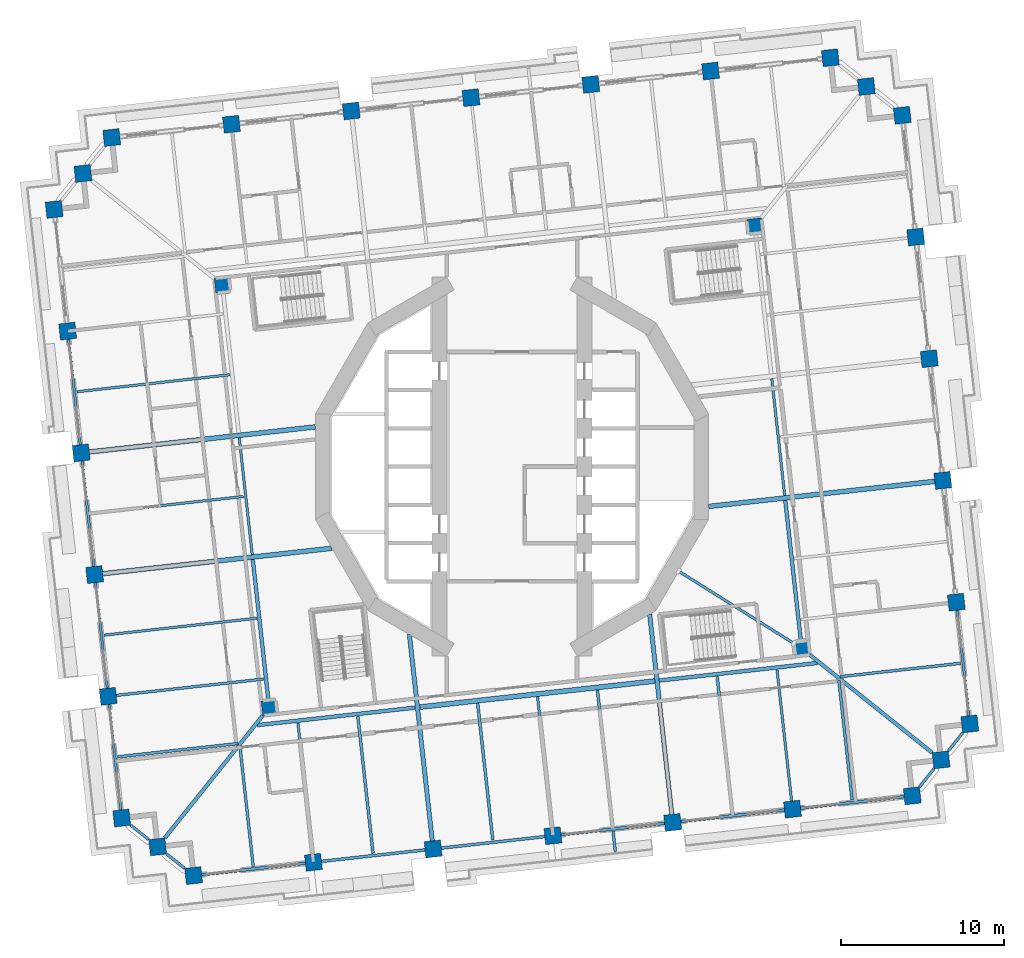
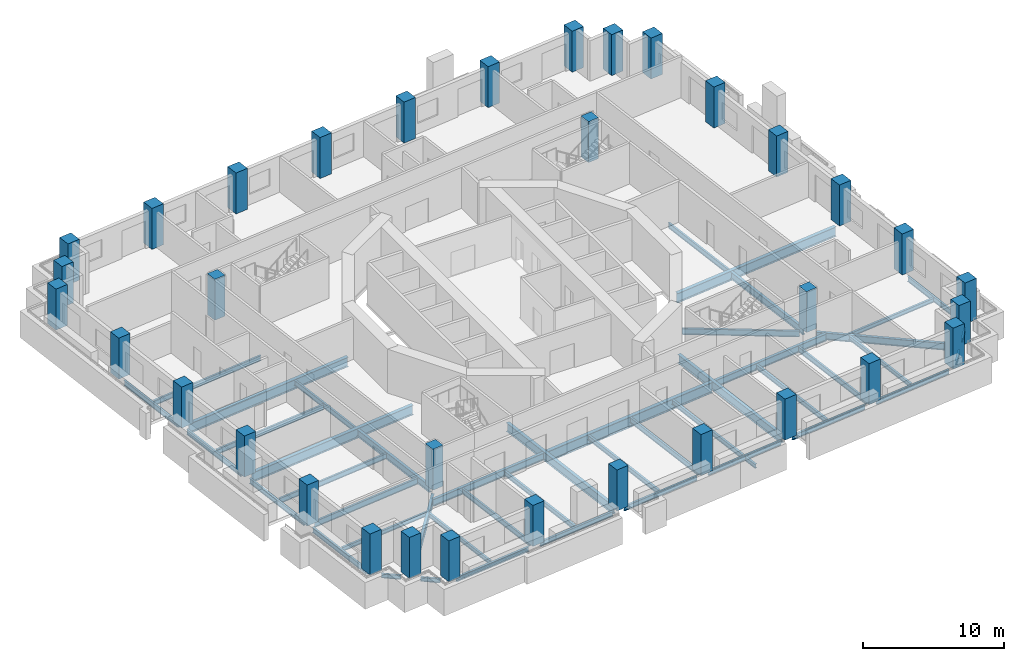
# One storey, part 1 of 18: 46 beams, 34 columns.
"""IFC4 building model written with IfcOpenShell, lengths in metres."""

from ifc_helpers import new_model, si_unit, direction, frame, origin, origin_2d, place, context, subcontext, project, spatial, rectangle, i_section, extrude, material, material_profile, profile_set, type_object, element, save


model = new_model("IFC4")

# Units and contexts
model_context = context("Model", 3, precision=1e-05, world=origin(), true_north=direction((0.0, 1.0)))
body_context = subcontext(model_context, "Body", "Model", "MODEL_VIEW")
ifc_project = project(units=[si_unit("LENGTHUNIT", "METRE"), si_unit("AREAUNIT", "SQUARE_METRE"), si_unit("VOLUMEUNIT", "CUBIC_METRE"), si_unit("PLANEANGLEUNIT", "RADIAN"), si_unit("MASSUNIT", "GRAM", prefix="KILO")], contexts=[model_context])

# Site, building, storey
site_placement = place(None, origin())
site = spatial("IfcSite", under=ifc_project, at=site_placement, CompositionType="ELEMENT")
building_placement = place(site_placement, origin())
building = spatial("IfcBuilding", under=site, at=building_placement, Name="Cantera Rosa Tower", CompositionType="ELEMENT")
storey_placement = place(building_placement, frame((0.0, 0.0, 76.699951171875)))
storey = spatial("IfcBuildingStorey", under=building, at=storey_placement, Name="L16", CompositionType="ELEMENT", Elevation=76.699951171875)

# Columns
ifc_material_1 = material(Name="Concrete C70/85", Category="concrete")
ifc_material_profile_1 = material_profile(ifc_material_1, rectangle(XDim=1.0, YDim=1.0, at=origin_2d()), Name="RC COLUMN RC1000X1000 C70/85")
ifc_profile_set_1 = profile_set([ifc_material_profile_1], Name="Concrete C70/85")
column_type_1 = type_object("IfcColumnType", Name="RC COLUMN RC1000X1000 C70/85", PredefinedType="COLUMN", material=ifc_profile_set_1)
for number, where, z_axis, x_axis, name in (
    (1, (28.114013671875, -15.795166015625, 0.0), (0.0, 0.0, 1.0), (0.993896946415, 0.110312555526, 0.0), "C-Z1-01 L16"),
    (2, (27.284423828125, -8.321044921875, 0.0), (0.0, 0.0, 1.0), (0.993896946415, 0.110312555526, 0.0), "C-Z1-02 L16"),
    (3, (26.454833984375, -0.846923828125, 0.0), (0.0, 0.0, 1.0), (0.993896946415, 0.110312555526, 0.0), "C-Z1-03 L16"),
    (4, (25.625244140625, 6.627197265625, 0.0), (0.0, 0.0, 1.0), (0.993896946415, 0.110312555526, 0.0), "C-Z1-04 L16"),
    (5, (24.795654296875, 14.101318359375, 0.0), (0.0, 0.0, 1.0), (0.993896946415, 0.110312555526, 0.0), "C-Z1-05 L16"),
    (6, (23.96630859375, 21.575439453125, 0.0), (0.0, 0.0, 1.0), (0.993896946415, 0.110312555526, 0.0), "C-Z1-06 L16"),
    (7, (21.7578125, 23.342529296875, 0.0), (0.0, 0.0, 1.0), (0.993896946415, 0.110312555526, 0.0), "C-Z1-07 L16"),
    (8, (19.54931640625, 25.10986328125, 0.0), (0.0, 0.0, 1.0), (0.993896946415, 0.110312555526, 0.0), "C-Z1-08 L16"),
    (9, (12.194580078125, 24.29345703125, 0.0), (0.0, 0.0, 1.0), (0.993896946415, 0.110312555526, 0.0), "C-Z1-09 L16"),
    (10, (4.839599609375, 23.47705078125, 0.0), (0.0, 0.0, 1.0), (0.993896946415, 0.110312555526, 0.0), "C-Z1-10 L16"),
    (11, (-2.51513671875, 22.660888671875, 0.0), (0.0, 0.0, 1.0), (0.993896946415, 0.110312555526, 0.0), "C-Z1-11 L16"),
    (12, (-9.869873046875, 21.844482421875, 0.0), (0.0, 0.0, 1.0), (0.993896946415, 0.110312555526, 0.0), "C-Z1-12 L16"),
    (13, (-17.224853515625, 21.0283203125, 0.0), (0.0, 0.0, 1.0), (0.993896946415, 0.110312555526, 0.0), "C-Z1-13 L16"),
    (14, (-24.57958984375, 20.2119140625, 0.0), (0.0, 0.0, 1.0), (0.993896946415, 0.110312555526, 0.0), "C-Z1-14 L16"),
    (15, (-26.346923828125, 18.00341796875, 0.0), (0.0, 0.0, 1.0), (0.993896946415, 0.110312555526, 0.0), "C-Z1-15 L16"),
    (16, (-28.114013671875, 15.795166015625, 0.0), (0.0, 0.0, 1.0), (0.993896946415, 0.110312555526, 0.0), "C-Z1-16 L16"),
    (17, (-27.284423828125, 8.321044921875, 0.0), (0.0, 0.0, 1.0), (0.993896946415, 0.110312555526, 0.0), "C-Z1-17 L16"),
    (18, (-26.454833984375, 0.846923828125, 0.0), (0.0, 0.0, 1.0), (0.993896946415, 0.110312555526, 0.0), "C-Z1-18 L16"),
    (19, (-25.625244140625, -6.627197265625, 0.0), (0.0, 0.0, 1.0), (0.993896946415, 0.110312555526, 0.0), "C-Z1-19 L16"),
    (20, (-24.795654296875, -14.101318359375, 0.0), (0.0, 0.0, 1.0), (0.993896946415, 0.110312555526, 0.0), "C-Z1-20 L16"),
    (21, (-23.96630859375, -21.575439453125, 0.0), (0.0, 0.0, 1.0), (0.993896946415, 0.110312555526, 0.0), "C-Z1-21 L16"),
    (22, (-21.7578125, -23.342529296875, 0.0), (0.0, 0.0, 1.0), (0.993896946415, 0.110312555526, 0.0), "C-Z1-22 L16"),
    (23, (-19.54931640625, -25.10986328125, 0.0), (0.0, 0.0, 1.0), (0.993896946415, 0.110312555526, 0.0), "C-Z1-23 L16"),
    (24, (-12.194580078125, -24.29345703125, 0.0), (0.0, 0.0, 1.0), (0.993896946415, 0.110312555526, 0.0), "C-Z1-24 L16"),
    (25, (-4.839599609375, -23.47705078125, 0.0), (0.0, 0.0, 1.0), (0.993896946415, 0.110312555526, 0.0), "C-Z1-25 L16"),
    (26, (2.51513671875, -22.660888671875, 0.0), (0.0, 0.0, 1.0), (0.993896946415, 0.110312555526, 0.0), "C-Z1-26 L16"),
    (27, (9.869873046875, -21.844482421875, 0.0), (0.0, 0.0, 1.0), (0.993896946415, 0.110312555526, 0.0), "C-Z1-27 L16"),
    (28, (17.224853515625, -21.0283203125, 0.0), (0.0, 0.0, 1.0), (0.993896946415, 0.110312555526, 0.0), "C-Z1-28 L16"),
    (29, (24.57958984375, -20.2119140625, 0.0), (0.0, 0.0, 1.0), (0.993896946415, 0.110312555526, 0.0), "C-Z1-29 L16"),
    (30, (26.346923828125, -18.00341796875, 0.0), (0.0, 0.0, 1.0), (0.993896946415, 0.110312555526, 0.0), "C-Z1-30 L16"),
):
    element("IfcColumn", number, at=place(storey_placement, frame(where, z_axis=z_axis, x_axis=x_axis)), inside=storey, type_object=column_type_1, Name=name, PredefinedType="COLUMN", context=body_context, shape_type="SweptSolid", body=[
        extrude(rectangle(XDim=1.0, YDim=1.0, at=origin_2d()), origin(), (0.0, 0.0, 1.0), 3.550048828125),
    ])
ifc_material_2 = material(Name="Concrete C70/85", Category="concrete")
ifc_material_profile_2 = material_profile(ifc_material_2, rectangle(XDim=0.89990234375, YDim=0.89990234375, at=origin_2d()), Name="RC RING COLUMN RC900X900 C70/85")
ifc_profile_set_2 = profile_set([ifc_material_profile_2], Name="Concrete C70/85")
column_type_2 = type_object("IfcColumnType", Name="RC RING COLUMN RC900X900 C70/85", PredefinedType="COLUMN", material=ifc_profile_set_2)
for number, where, z_axis, x_axis, name in (
    (31, (14.909912109375, 14.784912109375, 0.0), (0.0, 0.0, 1.0), (0.993896946415, 0.110312555526, 0.0), "CI-Z1-1 L16"),
    (32, (-17.7890625, 11.15576171875, 0.0), (0.0, 0.0, 1.0), (0.993896946415, 0.110312555526, 0.0), "CI-Z1-2 L16"),
    (33, (-14.909912109375, -14.784912109375, 0.0), (0.0, 0.0, 1.0), (0.993896946415, 0.110312555526, 0.0), "CI-Z1-3 L16"),
    (34, (17.7890625, -11.15576171875, 0.0), (0.0, 0.0, 1.0), (0.993896946415, 0.110312555526, 0.0), "CI-Z1-4 L16"),
):
    element("IfcColumn", number, at=place(storey_placement, frame(where, z_axis=z_axis, x_axis=x_axis)), inside=storey, type_object=column_type_2, Name=name, PredefinedType="COLUMN", context=body_context, shape_type="SweptSolid", body=[
        extrude(rectangle(XDim=0.89990234375, YDim=0.89990234375, at=origin_2d()), origin(), (0.0, 0.0, 1.0), 3.550048828125),
    ])

# Beams
ifc_material_3 = material(Name="Steel ASTM A992 (Fy 345 MPa)", Category="steel")
ifc_material_profile_3 = material_profile(ifc_material_3, i_section(OverallWidth=0.154052734375, OverallDepth=0.4599609375, WebThickness=0.009033203125, FlangeThickness=0.015380859375, FilletRadius=0.01025390625, at=origin_2d()), Name="W460X68")
ifc_profile_set_3 = profile_set([ifc_material_profile_3], Name="Steel ASTM A992 (Fy 345 MPa)")
beam_type_1 = type_object("IfcBeamType", Name="STEEL BEAM W460X68", PredefinedType="BEAM", material=ifc_profile_set_3)
beam_1_placement = place(storey_placement, frame((-12.249755859375, -23.796630859375, -0.47998046875), z_axis=(-0.110312435488, 0.993896959738, 0.0), x_axis=(-0.993896959738, -0.110312435488, 0.0)))
element("IfcBeam", 35, at=beam_1_placement, inside=storey, type_object=beam_type_1, Name="G-Z1-10 L16", PredefinedType="BEAM", context=body_context, shape_type="SweptSolid", body=[
    extrude(i_section(OverallWidth=0.154052734375, OverallDepth=0.4599609375, WebThickness=0.009033203125, FlangeThickness=0.015380859375, FilletRadius=0.01025390625, at=origin_2d()), origin(), (0.0, 0.0, 1.0), 8.10009765625),
])
for number, where, z_axis, x_axis, name in (
    (36, (2.4599609375, -22.163818359375, -0.47998046875), (-0.110315740112, 0.993896592953, 0.0), (-0.993896592953, -0.110315740112, 0.0), "G-Z1-12 L16"),
    (37, (17.169677734375, -20.53125, -0.47998046875), (-0.110315740112, 0.993896592953, 0.0), (-0.993896592953, -0.110315740112, 0.0), "G-Z1-14 L16"),
):
    element("IfcBeam", number, at=place(storey_placement, frame(where, z_axis=z_axis, x_axis=x_axis)), inside=storey, type_object=beam_type_1, Name=name, PredefinedType="BEAM", context=body_context, shape_type="SweptSolid", body=[
        extrude(i_section(OverallWidth=0.154052734375, OverallDepth=0.4599609375, WebThickness=0.009033203125, FlangeThickness=0.015380859375, FilletRadius=0.01025390625, at=origin_2d()), origin(), (0.0, 0.0, 1.0), 8.099853515625),
    ])
for number, where, z_axis, x_axis, name in (
    (38, (16.747802734375, -1.7734375, -0.47998046875), (-0.110301629462, 0.993898159037, 0.0), (-0.993898159037, -0.110301629462, 0.0), "RB-Z1-08 L16"),
    (39, (-15.951416015625, -5.402587890625, -0.47998046875), (-0.110301629462, 0.993898159037, 0.0), (-0.993898159037, -0.110301629462, 0.0), "RB-Z1-11 L16"),
):
    element("IfcBeam", number, at=place(storey_placement, frame(where, z_axis=z_axis, x_axis=x_axis)), inside=storey, type_object=beam_type_1, Name=name, PredefinedType="BEAM", context=body_context, shape_type="SweptSolid", body=[
        extrude(i_section(OverallWidth=0.154052734375, OverallDepth=0.4599609375, WebThickness=0.009033203125, FlangeThickness=0.015380859375, FilletRadius=0.01025390625, at=origin_2d()), origin(), (0.0, 0.0, 1.0), 7.219970703125),
    ])
ifc_material_4 = material(Name="Steel ASTM A992 (Fy 345 MPa)", Category="steel")
ifc_material_profile_4 = material_profile(ifc_material_4, i_section(OverallWidth=0.166015625, OverallDepth=0.528076171875, WebThickness=0.009765625, FlangeThickness=0.013671875, FilletRadius=0.0126953125, at=origin_2d()), Name="W530X74")
ifc_profile_set_4 = profile_set([ifc_material_profile_4], Name="Steel ASTM A992 (Fy 345 MPa)")
beam_type_2 = type_object("IfcBeamType", Name="STEEL BEAM W530X74", PredefinedType="BEAM", material=ifc_profile_set_4)
beam_2_placement = place(storey_placement, frame((-24.298828125, -14.046142578125, -0.513916015625), z_axis=(0.993896161189, 0.110319630049, 0.0), x_axis=(-0.110319630049, 0.993896161189, 0.0)))
element("IfcBeam", 40, at=beam_2_placement, inside=storey, type_object=beam_type_2, Name="G-Z1-18 L16", PredefinedType="BEAM", context=body_context, shape_type="SweptSolid", body=[
    extrude(i_section(OverallWidth=0.166015625, OverallDepth=0.528076171875, WebThickness=0.009765625, FlangeThickness=0.013671875, FilletRadius=0.0126953125, at=origin_2d()), origin(), (0.0, 0.0, 1.0), 9.10009765625),
])
beam_3_placement = place(storey_placement, frame((17.302490234375, -10.8505859375, -0.513916015625), z_axis=(-0.847189957301, 0.531290105543, 0.0), x_axis=(-0.531290105543, -0.847189957301, 0.0)))
element("IfcBeam", 41, at=beam_3_placement, inside=storey, type_object=beam_type_2, Name="PG-Z1-01 L16", PredefinedType="BEAM", context=body_context, shape_type="SweptSolid", body=[
    extrude(i_section(OverallWidth=0.166015625, OverallDepth=0.528076171875, WebThickness=0.009765625, FlangeThickness=0.013671875, FilletRadius=0.0126953125, at=origin_2d()), origin(), (0.0, 0.0, 1.0), 8.34130859375),
])
ifc_material_5 = material(Name="Steel ASTM A992 (Fy 345 MPa)", Category="steel")
ifc_material_profile_5 = material_profile(ifc_material_5, i_section(OverallWidth=0.22802734375, OverallDepth=0.60205078125, WebThickness=0.010498046875, FlangeThickness=0.014892578125, FilletRadius=0.0126953125, at=origin_2d()), Name="W610X101")
ifc_profile_set_5 = profile_set([ifc_material_profile_5], Name="Steel ASTM A992 (Fy 345 MPa)")
beam_type_3 = type_object("IfcBeamType", Name="STEEL BEAM W610X101", PredefinedType="BEAM", material=ifc_profile_set_5)
beam_4_placement = place(storey_placement, frame((-21.31591796875, -22.79052734375, -0.551025390625), z_axis=(0.624787924463, 0.780794498857, 0.0), x_axis=(-0.780794498857, 0.624787924463, 0.0)))
element("IfcBeam", 42, at=beam_4_placement, inside=storey, type_object=beam_type_3, Name="CB-Z1-03 L16", PredefinedType="BEAM", context=body_context, shape_type="SweptSolid", body=[
    extrude(i_section(OverallWidth=0.22802734375, OverallDepth=0.60205078125, WebThickness=0.010498046875, FlangeThickness=0.014892578125, FilletRadius=0.0126953125, at=origin_2d()), origin(), (0.0, 0.0, 1.0), 9.616455078125),
])
beam_5_placement = place(storey_placement, frame((25.794677734375, -17.561767578125, -0.551025390625), z_axis=(-0.78078211406, 0.62480340137, 0.0), x_axis=(-0.62480340137, -0.78078211406, 0.0)))
element("IfcBeam", 43, at=beam_5_placement, inside=storey, type_object=beam_type_3, Name="CB-Z1-04 L16", PredefinedType="BEAM", context=body_context, shape_type="SweptSolid", body=[
    extrude(i_section(OverallWidth=0.22802734375, OverallDepth=0.60205078125, WebThickness=0.010498046875, FlangeThickness=0.014892578125, FilletRadius=0.0126953125, at=origin_2d()), origin(), (0.0, 0.0, 1.0), 9.61669921875),
])
for number, where, z_axis, x_axis, name in (
    (44, (17.739501953125, -10.70849609375, -0.551025390625), (-0.110298932846, 0.993898458301, 0.0), (-0.993898458301, -0.110298932846, 0.0), "RB-Z1-07 L16"),
    (45, (-14.959716796875, -14.337646484375, -0.551025390625), (-0.110298932846, 0.993898458301, 0.0), (-0.993898458301, -0.110298932846, 0.0), "RB-Z1-10 L16"),
):
    element("IfcBeam", number, at=place(storey_placement, frame(where, z_axis=z_axis, x_axis=x_axis)), inside=storey, type_object=beam_type_3, Name=name, PredefinedType="BEAM", context=body_context, shape_type="SweptSolid", body=[
        extrude(i_section(OverallWidth=0.22802734375, OverallDepth=0.60205078125, WebThickness=0.010498046875, FlangeThickness=0.014892578125, FilletRadius=0.0126953125, at=origin_2d()), origin(), (0.0, 0.0, 1.0), 8.68994140625),
    ])
ifc_material_6 = material(Name="Steel ASTM A992 (Fy 345 MPa)", Category="steel")
ifc_material_profile_6 = material_profile(ifc_material_6, i_section(OverallWidth=0.22900390625, OverallDepth=0.612060546875, WebThickness=0.011962890625, FlangeThickness=0.01953125, FilletRadius=0.0126953125, at=origin_2d()), Name="W610X125")
ifc_profile_set_6 = profile_set([ifc_material_profile_6], Name="Steel ASTM A992 (Fy 345 MPa)")
beam_type_4 = type_object("IfcBeamType", Name="STEEL BEAM W610X125", PredefinedType="BEAM", material=ifc_profile_set_6)
beam_6_placement = place(storey_placement, frame((-15.64453125, -15.87255859375, -0.555908203125), z_axis=(0.993898078625, 0.110302354035, 0.0), x_axis=(-0.110302354035, 0.993898078625, 0.0)))
element("IfcBeam", 46, at=beam_6_placement, inside=storey, type_object=beam_type_4, Name="RB-Z1-04 L16", PredefinedType="BEAM", context=body_context, shape_type="SweptSolid", body=[
    extrude(i_section(OverallWidth=0.22900390625, OverallDepth=0.612060546875, WebThickness=0.011962890625, FlangeThickness=0.01953125, FilletRadius=0.0126953125, at=origin_2d()), origin(), (0.0, 0.0, 1.0), 9.75),
])
beam_7_placement = place(storey_placement, frame((9.0537109375, -13.13134765625, -0.555908203125), z_axis=(0.993898383269, 0.110299608956, 0.0), x_axis=(-0.110299608956, 0.993898383269, 0.0)))
element("IfcBeam", 47, at=beam_7_placement, inside=storey, type_object=beam_type_4, Name="RB-Z1-06 L16", PredefinedType="BEAM", context=body_context, shape_type="SweptSolid", body=[
    extrude(i_section(OverallWidth=0.22900390625, OverallDepth=0.612060546875, WebThickness=0.011962890625, FlangeThickness=0.01953125, FilletRadius=0.0126953125, at=origin_2d()), origin(), (0.0, 0.0, 1.0), 9.750244140625),
])
ifc_material_7 = material(Name="Steel ASTM A992 (Fy 345 MPa)", Category="steel")
ifc_material_profile_7 = material_profile(ifc_material_7, i_section(OverallWidth=0.26708984375, OverallDepth=0.75390625, WebThickness=0.01318359375, FlangeThickness=0.01708984375, FilletRadius=0.0166015625, at=origin_2d()), Name="W760X147")
ifc_profile_set_7 = profile_set([ifc_material_profile_7], Name="Steel ASTM A992 (Fy 345 MPa)")
beam_type_5 = type_object("IfcBeamType", Name="STEEL BEAM W760X147", PredefinedType="BEAM", material=ifc_profile_set_7)
beam_8_placement = place(storey_placement, frame((-4.894775390625, -22.980224609375, -0.626953125), z_axis=(-0.11031177493, 0.993897033053, 0.0), x_axis=(-0.993897033053, -0.11031177493, 0.0)))
element("IfcBeam", 48, at=beam_8_placement, inside=storey, type_object=beam_type_5, Name="G-Z1-11 L16", PredefinedType="BEAM", context=body_context, shape_type="SweptSolid", body=[
    extrude(i_section(OverallWidth=0.26708984375, OverallDepth=0.75390625, WebThickness=0.01318359375, FlangeThickness=0.01708984375, FilletRadius=0.0166015625, at=origin_2d()), origin(), (0.0, 0.0, 1.0), 12.754638671875),
])
beam_9_placement = place(storey_placement, frame((9.814697265625, -21.34765625, -0.626953125), z_axis=(-0.110292782244, 0.993899140851, 0.0), x_axis=(-0.993899140851, -0.110292782244, 0.0)))
element("IfcBeam", 49, at=beam_9_placement, inside=storey, type_object=beam_type_5, Name="G-Z1-13 L16", PredefinedType="BEAM", context=body_context, shape_type="SweptSolid", body=[
    extrude(i_section(OverallWidth=0.26708984375, OverallDepth=0.75390625, WebThickness=0.01318359375, FlangeThickness=0.01708984375, FilletRadius=0.0166015625, at=origin_2d()), origin(), (0.0, 0.0, 1.0), 12.360595703125),
])
ifc_material_8 = material(Name="Steel ASTM A992 (Fy 345 MPa)", Category="steel")
ifc_material_profile_8 = material_profile(ifc_material_8, i_section(OverallWidth=0.2919921875, OverallDepth=0.8359375, WebThickness=0.013916015625, FlangeThickness=0.018798828125, FilletRadius=0.017822265625, at=origin_2d()), Name="W840X176")
ifc_profile_set_8 = profile_set([ifc_material_profile_8], Name="Steel ASTM A992 (Fy 345 MPa)")
beam_type_6 = type_object("IfcBeamType", Name="STEEL BEAM W840X176", PredefinedType="BEAM", material=ifc_profile_set_8)
for number, where, z_axis, x_axis, name in (
    (50, (25.9580078125, -0.902099609375, -0.66796875), (-0.993898644981, -0.110297250672, 0.0), (0.110297250672, -0.993898644981, 0.0), "G-Z1-02 L16"),
    (51, (-25.9580078125, 0.902099609375, -0.66796875), (0.993898644981, 0.110297250672, 0.0), (-0.110297250672, 0.993898644981, 0.0), "G-Z1-16 L16"),
):
    element("IfcBeam", number, at=place(storey_placement, frame(where, z_axis=z_axis, x_axis=x_axis)), inside=storey, type_object=beam_type_6, Name=name, PredefinedType="BEAM", context=body_context, shape_type="SweptSolid", body=[
        extrude(i_section(OverallWidth=0.2919921875, OverallDepth=0.8359375, WebThickness=0.013916015625, FlangeThickness=0.018798828125, FilletRadius=0.017822265625, at=origin_2d()), origin(), (0.0, 0.0, 1.0), 13.96923828125),
    ])
beam_10_placement = place(storey_placement, frame((-25.12841796875, -6.572021484375, -0.66796875), z_axis=(0.993897599241, 0.110306673519, 0.0), x_axis=(-0.110306673519, 0.993897599241, 0.0)))
element("IfcBeam", 52, at=beam_10_placement, inside=storey, type_object=beam_type_6, Name="G-Z1-17 L16", PredefinedType="BEAM", context=body_context, shape_type="SweptSolid", body=[
    extrude(i_section(OverallWidth=0.2919921875, OverallDepth=0.8359375, WebThickness=0.013916015625, FlangeThickness=0.018798828125, FilletRadius=0.017822265625, at=origin_2d()), origin(), (0.0, 0.0, 1.0), 14.1650390625),
])
ifc_material_9 = material(Name="Steel ASTM A992 (Fy 345 MPa)", Category="steel")
ifc_material_profile_9 = material_profile(ifc_material_9, i_section(OverallWidth=0.304931640625, OverallDepth=0.9189453125, WebThickness=0.017333984375, FlangeThickness=0.02783203125, FilletRadius=0.01904296875, at=origin_2d()), Name="W920X253")
ifc_profile_set_9 = profile_set([ifc_material_profile_9], Name="Steel ASTM A992 (Fy 345 MPa)")
beam_type_7 = type_object("IfcBeamType", Name="STEEL BEAM W920X253", PredefinedType="BEAM", material=ifc_profile_set_9)
beam_11_placement = place(storey_placement, frame((-5.65576171875, -14.763916015625, -0.70947265625), z_axis=(0.993898099692, 0.110302164209, 0.0), x_axis=(-0.110302164209, 0.993898099692, 0.0)))
element("IfcBeam", 53, at=beam_11_placement, inside=storey, type_object=beam_type_7, Name="RB-Z1-05 L16", PredefinedType="BEAM", context=body_context, shape_type="SweptSolid", body=[
    extrude(i_section(OverallWidth=0.304931640625, OverallDepth=0.9189453125, WebThickness=0.017333984375, FlangeThickness=0.02783203125, FilletRadius=0.01904296875, at=origin_2d()), origin(), (0.0, 0.0, 1.0), 14.499755859375),
])
ifc_material_10 = material(Name="Steel ASTM A992 (Fy 345 MPa)", Category="steel")
ifc_material_profile_10 = material_profile(ifc_material_10, i_section(OverallWidth=0.1708984375, OverallDepth=0.35595703125, WebThickness=0.00732421875, FlangeThickness=0.01171875, FilletRadius=0.010009765625, at=origin_2d()), Name="W360X51")
ifc_profile_set_10 = profile_set([ifc_material_profile_10], Name="Steel ASTM A992 (Fy 345 MPa)")
beam_type_8 = type_object("IfcBeamType", Name="STEEL JOIST W360X51", PredefinedType="JOIST", material=ifc_profile_set_10)
beam_12_placement = place(storey_placement, frame((27.550048828125, -12.074462890625, -0.427978515625), z_axis=(-0.993895702238, -0.110323764768, 0.0), x_axis=(0.110323764768, -0.993895702238, 0.0)))
element("IfcBeam", 54, at=beam_12_placement, inside=storey, type_object=beam_type_8, Name="B-Z1-01 L16", PredefinedType="JOIST", context=body_context, shape_type="SweptSolid", body=[
    extrude(i_section(OverallWidth=0.1708984375, OverallDepth=0.35595703125, WebThickness=0.00732421875, FlangeThickness=0.01171875, FilletRadius=0.010009765625, at=origin_2d()), origin(), (0.0, 0.0, 1.0), 7.4599609375),
])
for number, where, z_axis, x_axis, name in (
    (55, (-15.888427734375, -24.552490234375, -0.427978515625), (-0.110326513132, 0.993895397162, 0.0), (-0.993895397162, -0.110326513132, 0.0), "B-Z1-12 L16"),
    (56, (20.8857421875, -20.470947265625, -0.427978515625), (-0.110326513132, 0.993895397162, 0.0), (-0.993895397162, -0.110326513132, 0.0), "B-Z1-17 L16"),
):
    element("IfcBeam", number, at=place(storey_placement, frame(where, z_axis=z_axis, x_axis=x_axis)), inside=storey, type_object=beam_type_8, Name=name, PredefinedType="JOIST", context=body_context, shape_type="SweptSolid", body=[
        extrude(i_section(OverallWidth=0.1708984375, OverallDepth=0.35595703125, WebThickness=0.00732421875, FlangeThickness=0.01171875, FilletRadius=0.010009765625, at=origin_2d()), origin(), (0.0, 0.0, 1.0), 7.39990234375),
    ])
beam_13_placement = place(storey_placement, frame((-24.23193359375, -17.82177734375, -0.427978515625), z_axis=(0.993899688369, 0.110287848199, 0.0), x_axis=(-0.110287848199, 0.993899688369, 0.0)))
element("IfcBeam", 57, at=beam_13_placement, inside=storey, type_object=beam_type_8, Name="B-Z1-22 L16", PredefinedType="JOIST", context=body_context, shape_type="SweptSolid", body=[
    extrude(i_section(OverallWidth=0.1708984375, OverallDepth=0.35595703125, WebThickness=0.00732421875, FlangeThickness=0.01171875, FilletRadius=0.010009765625, at=origin_2d()), origin(), (0.0, 0.0, 1.0), 7.4599609375),
])
beam_14_placement = place(storey_placement, frame((6.206787109375, -22.3818359375, -0.427978515625), z_axis=(0.110345783203, -0.993893257915, 0.0), x_axis=(0.993893257915, 0.110345783203, 0.0)))
element("IfcBeam", 58, at=beam_14_placement, inside=storey, type_object=beam_type_8, Name="BS-Z1-21 L16", PredefinedType="JOIST", context=body_context, shape_type="SweptSolid", body=[
    extrude(i_section(OverallWidth=0.1708984375, OverallDepth=0.35595703125, WebThickness=0.00732421875, FlangeThickness=0.01171875, FilletRadius=0.010009765625, at=origin_2d()), origin(), (0.0, 0.0, 1.0), 1.25),
])
ifc_material_11 = material(Name="Steel ASTM A992 (Fy 345 MPa)", Category="steel")
ifc_material_profile_11 = material_profile(ifc_material_11, i_section(OverallWidth=0.177978515625, OverallDepth=0.406005859375, WebThickness=0.0078125, FlangeThickness=0.0126953125, FilletRadius=0.01025390625, at=origin_2d()), Name="W410X60")
ifc_profile_set_11 = profile_set([ifc_material_profile_11], Name="Steel ASTM A992 (Fy 345 MPa)")
beam_type_9 = type_object("IfcBeamType", Name="STEEL JOIST W410X60", PredefinedType="JOIST", material=ifc_profile_set_11)
for number, where, z_axis, x_axis, name in (
    (59, (-8.53369140625, -23.736328125, -0.452880859375), (-0.110311022989, 0.99389711651, 0.0), (-0.99389711651, -0.110311022989, 0.0), "B-Z1-13 L16"),
    (60, (-1.178955078125, -22.919921875, -0.452880859375), (-0.110311022989, 0.99389711651, 0.0), (-0.99389711651, -0.110311022989, 0.0), "B-Z1-14 L16"),
    (61, (6.176025390625, -22.103515625, -0.452880859375), (-0.110311022989, 0.99389711651, 0.0), (-0.99389711651, -0.110311022989, 0.0), "B-Z1-15 L16"),
    (62, (13.53076171875, -21.287353515625, -0.452880859375), (-0.110311022989, 0.99389711651, 0.0), (-0.99389711651, -0.110311022989, 0.0), "B-Z1-16 L16"),
):
    element("IfcBeam", number, at=place(storey_placement, frame(where, z_axis=z_axis, x_axis=x_axis)), inside=storey, type_object=beam_type_9, Name=name, PredefinedType="JOIST", context=body_context, shape_type="SweptSolid", body=[
        extrude(i_section(OverallWidth=0.177978515625, OverallDepth=0.406005859375, WebThickness=0.0078125, FlangeThickness=0.0126953125, FilletRadius=0.01025390625, at=origin_2d()), origin(), (0.0, 0.0, 1.0), 8.449951171875),
    ])
ifc_material_12 = material(Name="Steel ASTM A992 (Fy 345 MPa)", Category="steel")
ifc_material_profile_12 = material_profile(ifc_material_12, i_section(OverallWidth=0.154052734375, OverallDepth=0.4599609375, WebThickness=0.009033203125, FlangeThickness=0.015380859375, FilletRadius=0.01025390625, at=origin_2d()), Name="W460X68")
ifc_profile_set_12 = profile_set([ifc_material_profile_12], Name="Steel ASTM A992 (Fy 345 MPa)")
beam_type_10 = type_object("IfcBeamType", Name="STEEL JOIST W460X68", PredefinedType="JOIST", material=ifc_profile_set_12)
for number, where, z_axis, x_axis, name in (
    (63, (-26.720458984375, 4.600341796875, -0.47998046875), (0.993896645353, 0.110315268011, 0.0), (-0.110315268011, 0.993896645353, 0.0), "B-Z1-19 L16"),
    (64, (-25.89111328125, -2.87353515625, -0.47998046875), (0.993899477629, 0.110289747342, 0.0), (-0.110289747342, 0.993899477629, 0.0), "B-Z1-20 L16"),
    (65, (-25.0615234375, -10.34765625, -0.47998046875), (0.993896645353, 0.110315268011, 0.0), (-0.110315268011, 0.993896645353, 0.0), "B-Z1-21 L16"),
):
    element("IfcBeam", number, at=place(storey_placement, frame(where, z_axis=z_axis, x_axis=x_axis)), inside=storey, type_object=beam_type_10, Name=name, PredefinedType="JOIST", context=body_context, shape_type="SweptSolid", body=[
        extrude(i_section(OverallWidth=0.154052734375, OverallDepth=0.4599609375, WebThickness=0.009033203125, FlangeThickness=0.015380859375, FilletRadius=0.01025390625, at=origin_2d()), origin(), (0.0, 0.0, 1.0), 9.449951171875),
    ])
ifc_material_13 = material(Name="Steel ASTM A992 (Fy 345 MPa)", Category="steel")
ifc_material_profile_13 = material_profile(ifc_material_13, i_section(OverallWidth=0.1708984375, OverallDepth=0.35595703125, WebThickness=0.00732421875, FlangeThickness=0.01171875, FilletRadius=0.010009765625, at=origin_2d()), Name="W360X51")
ifc_profile_set_13 = profile_set([ifc_material_profile_13], Name="Steel ASTM A992 (Fy 345 MPa)")
beam_type_11 = type_object("IfcBeamType", Name="STEEL SPANDREL BEAM W360X51", PredefinedType="SPANDREL", material=ifc_profile_set_13)
for number, where, z_axis, x_axis, name in (
    (66, (-23.4140625, -22.017333984375, -0.427978515625), (0.780818280208, -0.624758203863, 0.0), (0.624758203863, 0.780818280208, 0.0), "EB-Z1-21 L16"),
    (67, (-21.205810546875, -23.784423828125, -0.427978515625), (0.780818280208, -0.624758203863, 0.0), (0.624758203863, 0.780818280208, 0.0), "EB-Z1-22 L16"),
    (68, (25.021484375, -19.659912109375, -0.427978515625), (0.624758203863, 0.780818280208, 0.0), (-0.780818280208, 0.624758203863, 0.0), "EB-Z1-29 L16"),
    (69, (26.78857421875, -17.451416015625, -0.427978515625), (0.624758203863, 0.780818280208, 0.0), (-0.780818280208, 0.624758203863, 0.0), "EB-Z1-30 L16"),
):
    element("IfcBeam", number, at=place(storey_placement, frame(where, z_axis=z_axis, x_axis=x_axis)), inside=storey, type_object=beam_type_11, Name=name, PredefinedType="SPANDREL", context=body_context, shape_type="SweptSolid", body=[
        extrude(i_section(OverallWidth=0.1708984375, OverallDepth=0.35595703125, WebThickness=0.00732421875, FlangeThickness=0.01171875, FilletRadius=0.010009765625, at=origin_2d()), origin(), (0.0, 0.0, 1.0), 1.414306640625),
    ])
ifc_material_14 = material(Name="Steel ASTM A992 (Fy 345 MPa)", Category="steel")
ifc_material_profile_14 = material_profile(ifc_material_14, i_section(OverallWidth=0.177978515625, OverallDepth=0.406005859375, WebThickness=0.0078125, FlangeThickness=0.0126953125, FilletRadius=0.01025390625, at=origin_2d()), Name="W410X60")
ifc_profile_set_14 = profile_set([ifc_material_profile_14], Name="Steel ASTM A992 (Fy 345 MPa)")
beam_type_12 = type_object("IfcBeamType", Name="STEEL SPANDREL BEAM W410X60", PredefinedType="SPANDREL", material=ifc_profile_set_14)
beam_15_placement = place(storey_placement, frame((-19.052490234375, -25.0546875, -0.452880859375), z_axis=(0.993896288542, 0.110318482689, 0.0), x_axis=(-0.110318482689, 0.993896288542, 0.0)))
element("IfcBeam", 70, at=beam_15_placement, inside=storey, type_object=beam_type_12, Name="EB-Z1-23 L16", PredefinedType="SPANDREL", context=body_context, shape_type="SweptSolid", body=[
    extrude(i_section(OverallWidth=0.177978515625, OverallDepth=0.406005859375, WebThickness=0.0078125, FlangeThickness=0.0126953125, FilletRadius=0.01025390625, at=origin_2d()), origin(), (0.0, 0.0, 1.0), 6.400146484375),
])
for number, where, z_axis, x_axis, name in (
    (71, (-11.697509765625, -24.23828125, -0.452880859375), (0.993895824271, 0.110322665379, 0.0), (-0.110322665379, 0.993895824271, 0.0), "EB-Z1-24 L16"),
    (72, (-4.3427734375, -23.422119140625, -0.452880859375), (0.993895824271, 0.110322665379, 0.0), (-0.110322665379, 0.993895824271, 0.0), "EB-Z1-25 L16"),
):
    element("IfcBeam", number, at=place(storey_placement, frame(where, z_axis=z_axis, x_axis=x_axis)), inside=storey, type_object=beam_type_12, Name=name, PredefinedType="SPANDREL", context=body_context, shape_type="SweptSolid", body=[
        extrude(i_section(OverallWidth=0.177978515625, OverallDepth=0.406005859375, WebThickness=0.0078125, FlangeThickness=0.0126953125, FilletRadius=0.01025390625, at=origin_2d()), origin(), (0.0, 0.0, 1.0), 6.39990234375),
    ])
beam_16_placement = place(storey_placement, frame((3.011962890625, -22.605712890625, -0.452880859375), z_axis=(0.993896288542, 0.110318482689, 0.0), x_axis=(-0.110318482689, 0.993896288542, 0.0)))
element("IfcBeam", 73, at=beam_16_placement, inside=storey, type_object=beam_type_12, Name="EB-Z1-26 L16", PredefinedType="SPANDREL", context=body_context, shape_type="SweptSolid", body=[
    extrude(i_section(OverallWidth=0.177978515625, OverallDepth=0.406005859375, WebThickness=0.0078125, FlangeThickness=0.0126953125, FilletRadius=0.01025390625, at=origin_2d()), origin(), (0.0, 0.0, 1.0), 6.400146484375),
])
beam_17_placement = place(storey_placement, frame((10.366943359375, -21.789306640625, -0.452880859375), z_axis=(0.993900006422, 0.110284981906, 0.0), x_axis=(-0.110284981906, 0.993900006422, 0.0)))
element("IfcBeam", 74, at=beam_17_placement, inside=storey, type_object=beam_type_12, Name="EB-Z1-27 L16", PredefinedType="SPANDREL", context=body_context, shape_type="SweptSolid", body=[
    extrude(i_section(OverallWidth=0.177978515625, OverallDepth=0.406005859375, WebThickness=0.0078125, FlangeThickness=0.0126953125, FilletRadius=0.01025390625, at=origin_2d()), origin(), (0.0, 0.0, 1.0), 6.39990234375),
])
beam_18_placement = place(storey_placement, frame((17.7216796875, -20.97314453125, -0.452880859375), z_axis=(0.993896288542, 0.110318482689, 0.0), x_axis=(-0.110318482689, 0.993896288542, 0.0)))
element("IfcBeam", 75, at=beam_18_placement, inside=storey, type_object=beam_type_12, Name="EB-Z1-28 L16", PredefinedType="SPANDREL", context=body_context, shape_type="SweptSolid", body=[
    extrude(i_section(OverallWidth=0.177978515625, OverallDepth=0.406005859375, WebThickness=0.0078125, FlangeThickness=0.0126953125, FilletRadius=0.01025390625, at=origin_2d()), origin(), (0.0, 0.0, 1.0), 6.400146484375),
])
ifc_material_15 = material(Name="Steel ASTM A992 (Fy 345 MPa)", Category="steel")
ifc_material_profile_15 = material_profile(ifc_material_15, i_section(OverallWidth=0.154052734375, OverallDepth=0.4599609375, WebThickness=0.009033203125, FlangeThickness=0.015380859375, FilletRadius=0.01025390625, at=origin_2d()), Name="W460X68")
ifc_profile_set_15 = profile_set([ifc_material_profile_15], Name="Steel ASTM A992 (Fy 345 MPa)")
beam_type_13 = type_object("IfcBeamType", Name="STEEL SPANDREL BEAM W460X68", PredefinedType="SPANDREL", material=ifc_profile_set_15)
for number, where, z_axis, x_axis, name in (
    (76, (28.058837890625, -15.298095703125, -0.47998046875), (-0.110312341265, 0.993896970196, 0.0), (-0.993896970196, -0.110312341265, 0.0), "EB-Z1-01 L16"),
    (77, (-27.229248046875, 7.823974609375, -0.47998046875), (0.110312341265, -0.993896970196, 0.0), (0.993896970196, 0.110312341265, 0.0), "EB-Z1-17 L16"),
    (78, (-26.399658203125, 0.349853515625, -0.47998046875), (0.110312341265, -0.993896970196, 0.0), (0.993896970196, 0.110312341265, 0.0), "EB-Z1-18 L16"),
    (79, (-25.570068359375, -7.124267578125, -0.47998046875), (0.110312341265, -0.993896970196, 0.0), (0.993896970196, 0.110312341265, 0.0), "EB-Z1-19 L16"),
    (80, (-24.74072265625, -14.598388671875, -0.47998046875), (0.110312341265, -0.993896970196, 0.0), (0.993896970196, 0.110312341265, 0.0), "EB-Z1-20 L16"),
):
    element("IfcBeam", number, at=place(storey_placement, frame(where, z_axis=z_axis, x_axis=x_axis)), inside=storey, type_object=beam_type_13, Name=name, PredefinedType="SPANDREL", context=body_context, shape_type="SweptSolid", body=[
        extrude(i_section(OverallWidth=0.154052734375, OverallDepth=0.4599609375, WebThickness=0.009033203125, FlangeThickness=0.015380859375, FilletRadius=0.01025390625, at=origin_2d()), origin(), (0.0, 0.0, 1.0), 6.52001953125),
    ])

save(model, "model.ifc")
